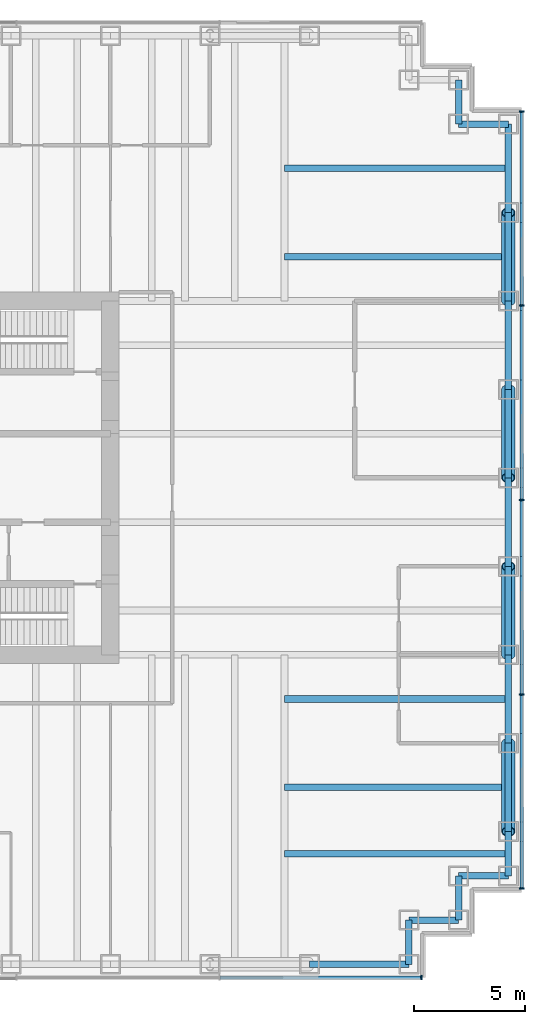
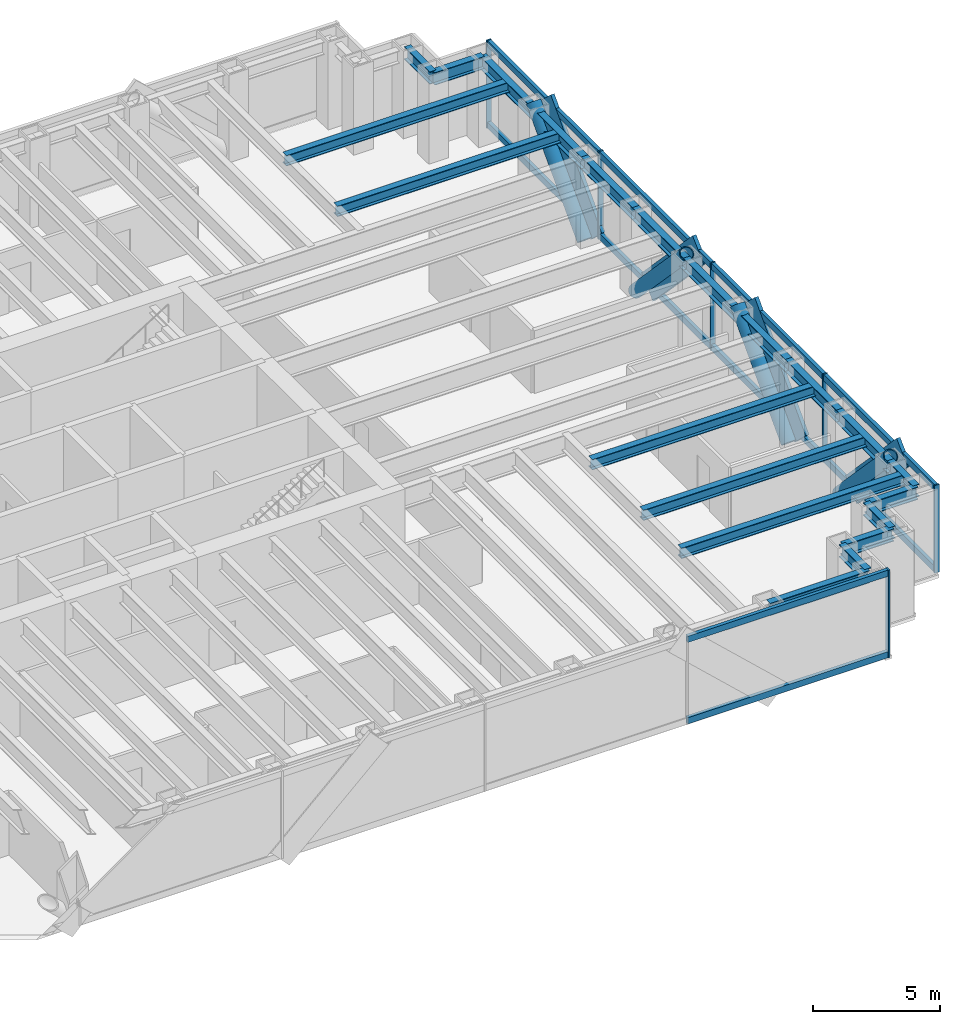
# One storey, part 8 of 15: 24 members, 21 beams, 2 elements without a shape of their own.
"""IFC4 building model written with IfcOpenShell, lengths in metres."""

import ifcopenshell
import ifcopenshell.guid

model = None  # the IFC model being written
_history = None  # IfcOwnerHistory: only IFC2X3 demands one
_inside = {}  # id of a spatial element -> (the spatial element, [elements in it])
_under = {}  # id of a project, library or spatial element -> (it, [spatial elements below it])
_declared = {}  # id of a project -> (the project, [libraries it declares])
_typed = {}  # id of a type object -> (the type object, [elements of that type])
_made_of = {}  # id of a material, layer set ... -> (it, [elements and type objects made of it])


def new_model(schema):
    """Start an empty IFC model of exactly this schema.

    Asked for "IFC4X3", IfcOpenShell would pick the latest addendum, in which some entities
    have other attributes; the version numbers below select the first issue.
    IFC2X3 requires an IfcOwnerHistory on every rooted entity: one is made here for all.
    """
    global model, _history
    if schema == "IFC4X3":
        model = ifcopenshell.file(schema_version=(4, 3, 0, 0))
    else:
        model = ifcopenshell.file(schema=schema)
    _inside.clear()
    _under.clear()
    _declared.clear()
    _typed.clear()
    _made_of.clear()
    _history = None
    if model.schema == "IFC2X3":
        org = make("IfcOrganization", Name="unknown")
        user = make(
            "IfcPersonAndOrganization",
            ThePerson=make("IfcPerson", FamilyName="unknown"),
            TheOrganization=org,
        )
        app = make(
            "IfcApplication",
            ApplicationDeveloper=org,
            Version="unknown",
            ApplicationFullName="unknown",
            ApplicationIdentifier="unknown",
        )
        _history = make(
            "IfcOwnerHistory",
            OwningUser=user,
            OwningApplication=app,
            ChangeAction="ADDED",
            CreationDate=0,
        )
    return model


def make(cls, **values):
    """One entity of the class cls with the attributes given. An attribute that is None is left unset."""
    return model.create_entity(
        cls, **{name: value for name, value in values.items() if value is not None}
    )


def rooted(cls, **values):
    """An entity with a GlobalId (a new one), such as an element, a storey or a relation."""
    return make(cls, GlobalId=ifcopenshell.guid.new(), OwnerHistory=_history, **values)


def si_unit(unit_type, name, prefix=None):
    """IfcSIUnit, for example si_unit("LENGTHUNIT", "METRE", prefix="MILLI")."""
    return make("IfcSIUnit", UnitType=unit_type, Prefix=prefix, Name=name)


def assignment(units):
    """IfcUnitAssignment: the units of a project."""
    return None if units is None else make("IfcUnitAssignment", Units=units)


def point(xyz):
    """IfcCartesianPoint."""
    return None if xyz is None else make("IfcCartesianPoint", Coordinates=xyz)


def direction(xyz):
    """IfcDirection."""
    return None if xyz is None else make("IfcDirection", DirectionRatios=xyz)


def frame(location, z_axis=None, x_axis=None):
    """IfcAxis2Placement3D, a coordinate frame: its origin and axes. An axis left out is left unset."""
    return make(
        "IfcAxis2Placement3D",
        Location=point(location),
        Axis=direction(z_axis),
        RefDirection=direction(x_axis),
    )


def frame_2d(location, x_axis=None):
    """IfcAxis2Placement2D, a coordinate frame in the plane: its origin and x axis."""
    return make(
        "IfcAxis2Placement2D", Location=point(location), RefDirection=direction(x_axis)
    )


def origin():
    """The frame at (0, 0, 0) with its axes left unset."""
    return frame((0.0, 0.0, 0.0))


def origin_2d():
    """The frame at (0, 0) in the plane with its x axis left unset."""
    return frame_2d((0.0, 0.0))


def place(relative_to, where):
    """IfcLocalPlacement: puts the frame where relative to a parent placement (None: the world)."""
    return make(
        "IfcLocalPlacement", PlacementRelTo=relative_to, RelativePlacement=where
    )


def context(
    kind, dimensions, precision=None, world=None, true_north=None, identifier=None
):
    """IfcGeometricRepresentationContext, for example the 3D "Model" context."""
    return make(
        "IfcGeometricRepresentationContext",
        ContextIdentifier=identifier,
        ContextType=kind,
        CoordinateSpaceDimension=dimensions,
        Precision=precision,
        WorldCoordinateSystem=world,
        TrueNorth=true_north,
    )


def subcontext(parent, identifier, kind, view, scale=None):
    """IfcGeometricRepresentationSubContext, for example "Body" below "Model"."""
    return make(
        "IfcGeometricRepresentationSubContext",
        ContextIdentifier=identifier,
        ContextType=kind,
        ParentContext=parent,
        TargetScale=scale,
        TargetView=view,
    )


def project(units=None, contexts=None):
    """IfcProject with its units and contexts."""
    return rooted(
        "IfcProject",
        Name="project",
        RepresentationContexts=contexts,
        UnitsInContext=assignment(units),
    )


def spatial(cls, under=None, at=None, **own):
    """A site, building, storey or space (cls), placed at a placement, below another one or the project."""
    s = rooted(cls, ObjectPlacement=at, **own)
    if under is not None:
        _under.setdefault(under.id(), (under, []))[1].append(s)
    return s


def profile(cls, at=None, kind="AREA", **sizes):
    """A parametric profile (cls). Its sizes go by their IFC names, for example OverallWidth=200.0."""
    return make(cls, ProfileType=kind, Position=at, **sizes)


def rectangle(**sizes):
    """IfcRectangleProfileDef."""
    return profile("IfcRectangleProfileDef", **sizes)


def hollow_circle(**sizes):
    """IfcCircleHollowProfileDef."""
    return profile("IfcCircleHollowProfileDef", **sizes)


def i_section(**sizes):
    """IfcIShapeProfileDef."""
    return profile("IfcIShapeProfileDef", **sizes)


def extrude(swept, where, along, depth):
    """IfcExtrudedAreaSolid: the profile swept, set in the frame where, extruded along a direction by depth."""
    return make(
        "IfcExtrudedAreaSolid",
        SweptArea=swept,
        Position=where,
        ExtrudedDirection=direction(along),
        Depth=depth,
    )


def shape(context_of_items, identifier, shape_type, items):
    """IfcShapeRepresentation: the items that make up one representation, for example the "Body"."""
    return make(
        "IfcShapeRepresentation",
        ContextOfItems=context_of_items,
        RepresentationIdentifier=identifier,
        RepresentationType=shape_type,
        Items=items,
    )


def material(Name=None, Category=None):
    """IfcMaterial."""
    return make("IfcMaterial", Name=Name, Category=Category)


def material_profile(
    of_material, cross_section, Name=None, Category=None, Priority=None
):
    """IfcMaterialProfile: a cross section and its material."""
    return make(
        "IfcMaterialProfile",
        Name=Name,
        Material=of_material,
        Profile=cross_section,
        Priority=Priority,
        Category=Category,
    )


def profile_set(profiles, Name=None, composite=None):
    """IfcMaterialProfileSet."""
    return make(
        "IfcMaterialProfileSet",
        Name=Name,
        MaterialProfiles=profiles,
        CompositeProfile=composite,
    )


def made_of(thing, what):
    """Note that an element or type object is made of a material, layer set ...; save() writes the relation."""
    if what is not None:
        _made_of.setdefault(what.id(), (what, []))[1].append(thing)
    return thing


def type_object(cls, material=None, **own):
    """A type object (cls), such as IfcWallType, which elements share."""
    return made_of(rooted(cls, **own), material)


def element(
    cls,
    number,
    at=None,
    inside=None,
    cuts=None,
    type_object=None,
    material=None,
    context=None,
    identifier="Body",
    shape_type=None,
    held_by="IfcProductDefinitionShape",
    body=None,
    shapes=None,
    **own,
):
    """One element of the class cls, such as IfcWall. Its Tag is "e" and its number.

    at: its placement. inside: the storey or other place that contains it. cuts: it is an
    opening in that element (IfcRelVoidsElement). A single representation is given by context,
    identifier, shape_type and body (its items); several are given by shapes. held_by: the class
    of the entity that holds the representations. save() writes the other relations.
    """
    e = rooted(cls, Tag="e%d" % number, ObjectPlacement=at, **own)
    if body is not None:
        shapes = [shape(context, identifier, shape_type, body)]
    if shapes is not None:
        e.Representation = make(held_by, Representations=shapes)
    if inside is not None:
        _inside.setdefault(inside.id(), (inside, []))[1].append(e)
    if cuts is not None:
        rooted(
            "IfcRelVoidsElement", RelatingBuildingElement=cuts, RelatedOpeningElement=e
        )
    if type_object is not None:
        _typed.setdefault(type_object.id(), (type_object, []))[1].append(e)
    return made_of(e, material)


def aggregate(whole, parts):
    """IfcRelAggregates: a whole, such as a stair, and the parts it consists of."""
    return rooted("IfcRelAggregates", RelatingObject=whole, RelatedObjects=parts)


def save(model, path):
    """Write the relations noted so far, then the file.

    IfcRelAggregates (storeys below a building ...), IfcRelContainedInSpatialStructure (elements
    in a storey), IfcRelDefinesByType, IfcRelAssociatesMaterial and IfcRelDeclares: one each for
    every whole, place, type object, material and project.
    """
    for whole, parts in _under.values():
        aggregate(whole, parts)
    for where, things in _inside.values():
        rooted(
            "IfcRelContainedInSpatialStructure",
            RelatedElements=things,
            RelatingStructure=where,
        )
    for kind, things in _typed.values():
        rooted("IfcRelDefinesByType", RelatedObjects=things, RelatingType=kind)
    for what, things in _made_of.values():
        rooted("IfcRelAssociatesMaterial", RelatedObjects=things, RelatingMaterial=what)
    for by, libraries in _declared.values():
        rooted("IfcRelDeclares", RelatingContext=by, RelatedDefinitions=libraries)
    model.write(path)


model = new_model("IFC4")

# Units and contexts
model_context = context("Model", 3, precision=1e-05, world=origin(), true_north=direction((0.0, 1.0)))
body_context = subcontext(model_context, "Body", "Model", "MODEL_VIEW")
ifc_project = project(units=[si_unit("LENGTHUNIT", "METRE"), si_unit("AREAUNIT", "SQUARE_METRE"), si_unit("VOLUMEUNIT", "CUBIC_METRE"), si_unit("PLANEANGLEUNIT", "RADIAN"), si_unit("MASSUNIT", "GRAM", prefix="KILO")], contexts=[model_context])

# Site, building, storey
site_placement = place(None, origin())
site = spatial("IfcSite", under=ifc_project, at=site_placement, CompositionType="ELEMENT")
building_placement = place(site_placement, origin())
building = spatial("IfcBuilding", under=site, at=building_placement, Name="Rheinbord Bourse Tower", CompositionType="ELEMENT")
storey_placement = place(building_placement, frame((0.0, 0.0, 248.800048828125)))
storey = spatial("IfcBuildingStorey", under=building, at=storey_placement, Name="L56", CompositionType="ELEMENT", Elevation=248.800048828125)

# Curtain wall, members
ifc_material_1 = material(Name="Dark glass and black aluminium", Category="aluminium")
curtain_wall_type = type_object("IfcCurtainWallType", Name="CW2 DARK GLASS CURTAIN WALL", PredefinedType="USERDEFINED", material=ifc_material_1)
curtain_wall_1_placement = place(storey_placement, origin())
curtain_wall_1 = element("IfcCurtainWall", 1, at=curtain_wall_1_placement, inside=storey, type_object=curtain_wall_type, Name="Curtain wall CW2 E L56", ObjectType="UNITISED CURTAIN WALL", PredefinedType="USERDEFINED")
ifc_material_2 = material(Name="Black anodised aluminium", Category="aluminium")
ifc_material_profile_1 = material_profile(ifc_material_2, rectangle(XDim=0.159912109375, YDim=1.2099609375, at=origin_2d()), Name="CW2 DIAGONAL MULLION 1210x160")
ifc_profile_set_1 = profile_set([ifc_material_profile_1], Name="Black anodised aluminium")
member_type_1 = type_object("IfcMemberType", Name="CW2 BLACK DIAGONAL MULLION", PredefinedType="USERDEFINED", material=ifc_profile_set_1)
member_1_placement = place(storey_placement, frame((72.60009765625, 16.0, 0.0), z_axis=(0.0, 0.689659376744, 0.724133926887), x_axis=(-1.0, 0.0, 0.0)))
member_1 = element("IfcMember", 2, at=member_1_placement, type_object=member_type_1, Name="CW2 diagonal mullion a", ObjectType="DIAGONAL MULLION", PredefinedType="USERDEFINED", context=body_context, shape_type="SweptSolid", body=[
    extrude(rectangle(XDim=0.159912109375, YDim=1.2099609375, at=origin_2d()), origin(), (0.0, 0.0, 1.0), 5.800048828125),
])
member_2_placement = place(storey_placement, frame((72.60009765625, 28.0, 0.0), z_axis=(0.0, -0.689659376744, 0.724133926887), x_axis=(1.0, 0.0, 0.0)))
member_2 = element("IfcMember", 3, at=member_2_placement, type_object=member_type_1, Name="CW2 diagonal mullion b", ObjectType="DIAGONAL MULLION", PredefinedType="USERDEFINED", context=body_context, shape_type="SweptSolid", body=[
    extrude(rectangle(XDim=0.159912109375, YDim=1.2099609375, at=origin_2d()), origin(), (0.0, 0.0, 1.0), 5.800048828125),
])
member_3_placement = place(storey_placement, frame((72.60009765625, 32.0, 0.0), z_axis=(0.0, 0.689659376744, 0.724133926887), x_axis=(-1.0, 0.0, 0.0)))
member_3 = element("IfcMember", 4, at=member_3_placement, type_object=member_type_1, Name="CW2 diagonal mullion c", ObjectType="DIAGONAL MULLION", PredefinedType="USERDEFINED", context=body_context, shape_type="SweptSolid", body=[
    extrude(rectangle(XDim=0.159912109375, YDim=1.2099609375, at=origin_2d()), origin(), (0.0, 0.0, 1.0), 5.800048828125),
])
member_4_placement = place(storey_placement, frame((72.60009765625, 12.0, 0.0), z_axis=(0.0, -0.689659376744, 0.724133926887), x_axis=(1.0, 0.0, 0.0)))
member_4 = element("IfcMember", 5, at=member_4_placement, type_object=member_type_1, Name="CW2 diagonal mullion d", ObjectType="DIAGONAL MULLION", PredefinedType="USERDEFINED", context=body_context, shape_type="SweptSolid", body=[
    extrude(rectangle(XDim=0.159912109375, YDim=1.2099609375, at=origin_2d()), origin(), (0.0, 0.0, 1.0), 5.800048828125),
])

# Curtain wall, member
curtain_wall_2_placement = place(storey_placement, origin())
curtain_wall_2 = element("IfcCurtainWall", 6, at=curtain_wall_2_placement, inside=storey, type_object=curtain_wall_type, Name="Curtain wall CW2 S L56", ObjectType="UNITISED CURTAIN WALL", PredefinedType="USERDEFINED")
ifc_material_3 = material(Name="Black anodised aluminium", Category="aluminium")
ifc_material_profile_2 = material_profile(ifc_material_3, rectangle(XDim=0.219970703125, YDim=0.070068359375, at=origin_2d()), Name="CW2 MULLION 70x220")
ifc_profile_set_2 = profile_set([ifc_material_profile_2], Name="Black anodised aluminium")
member_type_2 = type_object("IfcMemberType", Name="CW2 BLACK MULLION", PredefinedType="MULLION", material=ifc_profile_set_2)
member_5_placement = place(storey_placement, frame((68.06494140625, 1.39990234375, 0.0), z_axis=(0.0, 0.0, 1.0), x_axis=(0.0, 1.0, 0.0)))
member_5 = element("IfcMember", 7, at=member_5_placement, type_object=member_type_2, Name="CW2 mullion 8", PredefinedType="MULLION", context=body_context, shape_type="SweptSolid", body=[
    extrude(rectangle(XDim=0.219970703125, YDim=0.070068359375, at=origin_2d()), origin(), (0.0, 0.0, 1.0), 4.199951171875),
])

# Member
member_6_placement = place(storey_placement, frame((72.60009765625, 5.43505859375, 0.0), z_axis=(0.0, 0.0, 1.0), x_axis=(-1.0, 0.0, 0.0)))
member_6 = element("IfcMember", 8, at=member_6_placement, type_object=member_type_2, Name="CW2 mullion 1", PredefinedType="MULLION", context=body_context, shape_type="SweptSolid", body=[
    extrude(rectangle(XDim=0.219970703125, YDim=0.070068359375, at=origin_2d()), origin(), (0.0, 0.0, 1.0), 4.199951171875),
])

member_7_placement = place(storey_placement, frame((72.60009765625, 14.199951171875, 0.0), z_axis=(0.0, 0.0, 1.0), x_axis=(-1.0, 0.0, 0.0)))
member_7 = element("IfcMember", 9, at=member_7_placement, type_object=member_type_2, Name="CW2 mullion 2", PredefinedType="MULLION", context=body_context, shape_type="SweptSolid", body=[
    extrude(rectangle(XDim=0.219970703125, YDim=0.070068359375, at=origin_2d()), origin(), (0.0, 0.0, 1.0), 4.199951171875),
])

member_8_placement = place(storey_placement, frame((72.60009765625, 23.0, 0.0), z_axis=(0.0, 0.0, 1.0), x_axis=(-1.0, 0.0, 0.0)))
member_8 = element("IfcMember", 10, at=member_8_placement, type_object=member_type_2, Name="CW2 mullion 3", PredefinedType="MULLION", context=body_context, shape_type="SweptSolid", body=[
    extrude(rectangle(XDim=0.219970703125, YDim=0.070068359375, at=origin_2d()), origin(), (0.0, 0.0, 1.0), 4.199951171875),
])

member_9_placement = place(storey_placement, frame((72.60009765625, 31.800048828125, 0.0), z_axis=(0.0, 0.0, 1.0), x_axis=(-1.0, 0.0, 0.0)))
member_9 = element("IfcMember", 11, at=member_9_placement, type_object=member_type_2, Name="CW2 mullion 4", PredefinedType="MULLION", context=body_context, shape_type="SweptSolid", body=[
    extrude(rectangle(XDim=0.219970703125, YDim=0.070068359375, at=origin_2d()), origin(), (0.0, 0.0, 1.0), 4.199951171875),
])

member_10_placement = place(storey_placement, frame((72.60009765625, 40.56494140625, 0.0), z_axis=(0.0, 0.0, 1.0), x_axis=(-1.0, 0.0, 0.0)))
member_10 = element("IfcMember", 12, at=member_10_placement, type_object=member_type_2, Name="CW2 mullion 5", PredefinedType="MULLION", context=body_context, shape_type="SweptSolid", body=[
    extrude(rectangle(XDim=0.219970703125, YDim=0.070068359375, at=origin_2d()), origin(), (0.0, 0.0, 1.0), 4.199951171875),
])

ifc_material_4 = material(Name="Black anodised aluminium", Category="aluminium")
ifc_material_profile_3 = material_profile(ifc_material_4, rectangle(XDim=0.159912109375, YDim=0.300048828125, at=origin_2d()), Name="CW2 TRANSOM 300x160")
ifc_profile_set_3 = profile_set([ifc_material_profile_3], Name="Black anodised aluminium")
member_type_3 = type_object("IfcMemberType", Name="CW2 BLACK TRANSOM", PredefinedType="USERDEFINED", material=ifc_profile_set_3)
member_11_placement = place(storey_placement, frame((58.963623046875, 1.39990234375, 0.14990234375), z_axis=(1.0, 0.0, 0.0), x_axis=(0.0, 1.0, 0.0)))
member_11 = element("IfcMember", 13, at=member_11_placement, type_object=member_type_3, Name="CW2 transom 7.1", ObjectType="TRANSOM", PredefinedType="USERDEFINED", context=body_context, shape_type="SweptSolid", body=[
    extrude(rectangle(XDim=0.159912109375, YDim=0.300048828125, at=origin_2d()), origin(), (0.0, 0.0, 1.0), 9.06640625),
])

member_12_placement = place(storey_placement, frame((58.963623046875, 1.39990234375, 4.050048828125), z_axis=(1.0, 0.0, 0.0), x_axis=(0.0, 1.0, 0.0)))
member_12 = element("IfcMember", 14, at=member_12_placement, type_object=member_type_3, Name="CW2 transom 7.2", ObjectType="TRANSOM", PredefinedType="USERDEFINED", context=body_context, shape_type="SweptSolid", body=[
    extrude(rectangle(XDim=0.159912109375, YDim=0.300048828125, at=origin_2d()), origin(), (0.0, 0.0, 1.0), 9.06640625),
])

aggregate(curtain_wall_2, [member_5, member_11, member_12])

member_13_placement = place(storey_placement, frame((72.60009765625, 5.469970703125, 0.14990234375), z_axis=(0.0, 1.0, 0.0), x_axis=(-1.0, 0.0, 0.0)))
member_13 = element("IfcMember", 15, at=member_13_placement, type_object=member_type_3, Name="CW2 transom 1.1", ObjectType="TRANSOM", PredefinedType="USERDEFINED", context=body_context, shape_type="SweptSolid", body=[
    extrude(rectangle(XDim=0.159912109375, YDim=0.300048828125, at=origin_2d()), origin(), (0.0, 0.0, 1.0), 8.695068359375),
])

member_14_placement = place(storey_placement, frame((72.60009765625, 5.469970703125, 4.050048828125), z_axis=(0.0, 1.0, 0.0), x_axis=(-1.0, 0.0, 0.0)))
member_14 = element("IfcMember", 16, at=member_14_placement, type_object=member_type_3, Name="CW2 transom 1.2", ObjectType="TRANSOM", PredefinedType="USERDEFINED", context=body_context, shape_type="SweptSolid", body=[
    extrude(rectangle(XDim=0.159912109375, YDim=0.300048828125, at=origin_2d()), origin(), (0.0, 0.0, 1.0), 8.695068359375),
])

member_15_placement = place(storey_placement, frame((72.60009765625, 14.235107421875, 0.14990234375), z_axis=(0.0, 1.0, 0.0), x_axis=(-1.0, 0.0, 0.0)))
member_15 = element("IfcMember", 17, at=member_15_placement, type_object=member_type_3, Name="CW2 transom 2.1", ObjectType="TRANSOM", PredefinedType="USERDEFINED", context=body_context, shape_type="SweptSolid", body=[
    extrude(rectangle(XDim=0.159912109375, YDim=0.300048828125, at=origin_2d()), origin(), (0.0, 0.0, 1.0), 8.72998046875),
])

member_16_placement = place(storey_placement, frame((72.60009765625, 14.235107421875, 4.050048828125), z_axis=(0.0, 1.0, 0.0), x_axis=(-1.0, 0.0, 0.0)))
member_16 = element("IfcMember", 18, at=member_16_placement, type_object=member_type_3, Name="CW2 transom 2.2", ObjectType="TRANSOM", PredefinedType="USERDEFINED", context=body_context, shape_type="SweptSolid", body=[
    extrude(rectangle(XDim=0.159912109375, YDim=0.300048828125, at=origin_2d()), origin(), (0.0, 0.0, 1.0), 8.72998046875),
])

member_17_placement = place(storey_placement, frame((72.60009765625, 23.034912109375, 0.14990234375), z_axis=(0.0, 1.0, 0.0), x_axis=(-1.0, 0.0, 0.0)))
member_17 = element("IfcMember", 19, at=member_17_placement, type_object=member_type_3, Name="CW2 transom 3.1", ObjectType="TRANSOM", PredefinedType="USERDEFINED", context=body_context, shape_type="SweptSolid", body=[
    extrude(rectangle(XDim=0.159912109375, YDim=0.300048828125, at=origin_2d()), origin(), (0.0, 0.0, 1.0), 8.72998046875),
])

member_18_placement = place(storey_placement, frame((72.60009765625, 23.034912109375, 4.050048828125), z_axis=(0.0, 1.0, 0.0), x_axis=(-1.0, 0.0, 0.0)))
member_18 = element("IfcMember", 20, at=member_18_placement, type_object=member_type_3, Name="CW2 transom 3.2", ObjectType="TRANSOM", PredefinedType="USERDEFINED", context=body_context, shape_type="SweptSolid", body=[
    extrude(rectangle(XDim=0.159912109375, YDim=0.300048828125, at=origin_2d()), origin(), (0.0, 0.0, 1.0), 8.72998046875),
])

member_19_placement = place(storey_placement, frame((72.60009765625, 31.8349609375, 0.14990234375), z_axis=(0.0, 1.0, 0.0), x_axis=(-1.0, 0.0, 0.0)))
member_19 = element("IfcMember", 21, at=member_19_placement, type_object=member_type_3, Name="CW2 transom 4.1", ObjectType="TRANSOM", PredefinedType="USERDEFINED", context=body_context, shape_type="SweptSolid", body=[
    extrude(rectangle(XDim=0.159912109375, YDim=0.300048828125, at=origin_2d()), origin(), (0.0, 0.0, 1.0), 8.695068359375),
])

member_20_placement = place(storey_placement, frame((72.60009765625, 31.8349609375, 4.050048828125), z_axis=(0.0, 1.0, 0.0), x_axis=(-1.0, 0.0, 0.0)))
member_20 = element("IfcMember", 22, at=member_20_placement, type_object=member_type_3, Name="CW2 transom 4.2", ObjectType="TRANSOM", PredefinedType="USERDEFINED", context=body_context, shape_type="SweptSolid", body=[
    extrude(rectangle(XDim=0.159912109375, YDim=0.300048828125, at=origin_2d()), origin(), (0.0, 0.0, 1.0), 8.695068359375),
])

aggregate(curtain_wall_1, [member_6, member_7, member_8, member_9, member_10, member_13, member_14, member_15, member_16, member_17, member_18, member_19, member_20, member_1, member_2, member_3, member_4])

# Members
ifc_material_5 = material(Name="Steel S460", Category="steel")
ifc_material_profile_4 = material_profile(ifc_material_5, hollow_circle(Radius=0.304931640625, WallThickness=0.0400390625, at=origin_2d()), Name="CHS 610x40")
ifc_profile_set_4 = profile_set([ifc_material_profile_4], Name="Steel S460")
member_type_4 = type_object("IfcMemberType", Name="MEGABRACE CHS 610x40", PredefinedType="BRACE", material=ifc_profile_set_4)
for number, where, z_axis, x_axis, name in (
    (23, (72.0, 16.0, 0.0), (0.0, 0.689659376744, 0.724133926887), (-1.0, 0.0, 0.0), "Megabrace E face line a L56"),
    (24, (72.0, 28.0, 0.0), (0.0, -0.689659376744, 0.724133926887), (1.0, 0.0, 0.0), "Megabrace E face line b L56"),
    (25, (72.0, 32.0, 0.0), (0.0, 0.689659376744, 0.724133926887), (-1.0, 0.0, 0.0), "Megabrace E face line c L56"),
    (26, (72.0, 12.0, 0.0), (0.0, -0.689659376744, 0.724133926887), (1.0, 0.0, 0.0), "Megabrace E face line d L56"),
):
    element("IfcMember", number, at=place(storey_placement, frame(where, z_axis=z_axis, x_axis=x_axis)), inside=storey, type_object=member_type_4, Name=name, PredefinedType="BRACE", context=body_context, shape_type="SweptSolid", body=[
        extrude(hollow_circle(Radius=0.304931640625, WallThickness=0.0400390625, at=origin_2d()), origin(), (0.0, 0.0, 1.0), 5.800048828125),
    ])

# Beams
ifc_material_6 = material(Name="Steel S460", Category="steel")
ifc_material_profile_5 = material_profile(ifc_material_6, i_section(OverallWidth=0.300048828125, OverallDepth=0.60009765625, WebThickness=0.015380859375, FlangeThickness=0.030029296875, at=origin_2d()), Name="HEB 600")
ifc_profile_set_5 = profile_set([ifc_material_profile_5], Name="Steel S460")
beam_type_1 = type_object("IfcBeamType", Name="SPANDREL HEB 600", PredefinedType="SPANDREL", material=ifc_profile_set_5)
beam_1_placement = place(storey_placement, frame((63.0, 2.0, 3.739990234375), z_axis=(1.0, 0.0, 0.0), x_axis=(0.0, 1.0, 0.0)))
element("IfcBeam", 27, at=beam_1_placement, inside=storey, type_object=beam_type_1, Name="Spandrel S-63-SE-E under L57", PredefinedType="SPANDREL", context=body_context, shape_type="SweptSolid", body=[
    extrude(i_section(OverallWidth=0.300048828125, OverallDepth=0.60009765625, WebThickness=0.015380859375, FlangeThickness=0.030029296875, at=origin_2d()), origin(), (0.0, 0.0, 1.0), 4.5),
])
beam_2_placement = place(storey_placement, frame((67.5, 2.0, 3.739990234375), z_axis=(0.0, 1.0, 0.0), x_axis=(-1.0, 0.0, 0.0)))
element("IfcBeam", 28, at=beam_2_placement, inside=storey, type_object=beam_type_1, Name="Spandrel SE-E-SE-D under L57", PredefinedType="SPANDREL", context=body_context, shape_type="SweptSolid", body=[
    extrude(i_section(OverallWidth=0.300048828125, OverallDepth=0.60009765625, WebThickness=0.015380859375, FlangeThickness=0.030029296875, at=origin_2d()), origin(), (0.0, 0.0, 1.0), 2.0),
])
beam_3_placement = place(storey_placement, frame((67.5, 4.0, 3.739990234375), z_axis=(1.0, 0.0, 0.0), x_axis=(0.0, 1.0, 0.0)))
element("IfcBeam", 29, at=beam_3_placement, inside=storey, type_object=beam_type_1, Name="Spandrel SE-D-SE-C under L57", PredefinedType="SPANDREL", context=body_context, shape_type="SweptSolid", body=[
    extrude(i_section(OverallWidth=0.300048828125, OverallDepth=0.60009765625, WebThickness=0.015380859375, FlangeThickness=0.030029296875, at=origin_2d()), origin(), (0.0, 0.0, 1.0), 2.25),
])
beam_4_placement = place(storey_placement, frame((69.75, 4.0, 3.739990234375), z_axis=(0.0, 1.0, 0.0), x_axis=(-1.0, 0.0, 0.0)))
element("IfcBeam", 30, at=beam_4_placement, inside=storey, type_object=beam_type_1, Name="Spandrel SE-C-SE-B under L57", PredefinedType="SPANDREL", context=body_context, shape_type="SweptSolid", body=[
    extrude(i_section(OverallWidth=0.300048828125, OverallDepth=0.60009765625, WebThickness=0.015380859375, FlangeThickness=0.030029296875, at=origin_2d()), origin(), (0.0, 0.0, 1.0), 2.0),
])
beam_5_placement = place(storey_placement, frame((69.75, 6.0, 3.739990234375), z_axis=(1.0, 0.0, 0.0), x_axis=(0.0, 1.0, 0.0)))
element("IfcBeam", 31, at=beam_5_placement, inside=storey, type_object=beam_type_1, Name="Spandrel SE-B-SE-A under L57", PredefinedType="SPANDREL", context=body_context, shape_type="SweptSolid", body=[
    extrude(i_section(OverallWidth=0.300048828125, OverallDepth=0.60009765625, WebThickness=0.015380859375, FlangeThickness=0.030029296875, at=origin_2d()), origin(), (0.0, 0.0, 1.0), 2.25),
])
beam_6_placement = place(storey_placement, frame((72.0, 6.0, 3.739990234375), z_axis=(0.0, 1.0, 0.0), x_axis=(-1.0, 0.0, 0.0)))
element("IfcBeam", 32, at=beam_6_placement, inside=storey, type_object=beam_type_1, Name="Spandrel SE-A-E-8 under L57", PredefinedType="SPANDREL", context=body_context, shape_type="SweptSolid", body=[
    extrude(i_section(OverallWidth=0.300048828125, OverallDepth=0.60009765625, WebThickness=0.015380859375, FlangeThickness=0.030029296875, at=origin_2d()), origin(), (0.0, 0.0, 1.0), 2.0),
])
for number, where, z_axis, x_axis, name in (
    (33, (72.0, 8.0, 3.739990234375), (0.0, 1.0, 0.0), (-1.0, 0.0, 0.0), "Spandrel E-8-E-12 under L57"),
    (34, (72.0, 12.0, 3.739990234375), (0.0, 1.0, 0.0), (-1.0, 0.0, 0.0), "Spandrel E-12-E-16 under L57"),
    (35, (72.0, 16.0, 3.739990234375), (0.0, 1.0, 0.0), (-1.0, 0.0, 0.0), "Spandrel E-16-E-20 under L57"),
    (36, (72.0, 20.0, 3.739990234375), (0.0, 1.0, 0.0), (-1.0, 0.0, 0.0), "Spandrel E-20-E-24 under L57"),
    (37, (72.0, 24.0, 3.739990234375), (0.0, 1.0, 0.0), (-1.0, 0.0, 0.0), "Spandrel E-24-E-28 under L57"),
    (38, (72.0, 28.0, 3.739990234375), (0.0, 1.0, 0.0), (-1.0, 0.0, 0.0), "Spandrel E-28-E-32 under L57"),
    (39, (72.0, 32.0, 3.739990234375), (0.0, 1.0, 0.0), (-1.0, 0.0, 0.0), "Spandrel E-32-E-36 under L57"),
    (40, (72.0, 36.0, 3.739990234375), (0.0, 1.0, 0.0), (-1.0, 0.0, 0.0), "Spandrel E-36-NE-A under L57"),
):
    element("IfcBeam", number, at=place(storey_placement, frame(where, z_axis=z_axis, x_axis=x_axis)), inside=storey, type_object=beam_type_1, Name=name, PredefinedType="SPANDREL", context=body_context, shape_type="SweptSolid", body=[
        extrude(i_section(OverallWidth=0.300048828125, OverallDepth=0.60009765625, WebThickness=0.015380859375, FlangeThickness=0.030029296875, at=origin_2d()), origin(), (0.0, 0.0, 1.0), 4.0),
    ])
beam_7_placement = place(storey_placement, frame((72.0, 40.0, 3.739990234375), z_axis=(-1.0, 0.0, 0.0), x_axis=(0.0, -1.0, 0.0)))
element("IfcBeam", 41, at=beam_7_placement, inside=storey, type_object=beam_type_1, Name="Spandrel NE-A-NE-B under L57", PredefinedType="SPANDREL", context=body_context, shape_type="SweptSolid", body=[
    extrude(i_section(OverallWidth=0.300048828125, OverallDepth=0.60009765625, WebThickness=0.015380859375, FlangeThickness=0.030029296875, at=origin_2d()), origin(), (0.0, 0.0, 1.0), 2.25),
])
beam_8_placement = place(storey_placement, frame((69.75, 40.0, 3.739990234375), z_axis=(0.0, 1.0, 0.0), x_axis=(-1.0, 0.0, 0.0)))
element("IfcBeam", 42, at=beam_8_placement, inside=storey, type_object=beam_type_1, Name="Spandrel NE-B-NE-C under L57", PredefinedType="SPANDREL", context=body_context, shape_type="SweptSolid", body=[
    extrude(i_section(OverallWidth=0.300048828125, OverallDepth=0.60009765625, WebThickness=0.015380859375, FlangeThickness=0.030029296875, at=origin_2d()), origin(), (0.0, 0.0, 1.0), 2.0),
])
ifc_material_7 = material(Name="Steel S460", Category="steel")
ifc_material_profile_6 = material_profile(ifc_material_7, i_section(OverallWidth=0.300048828125, OverallDepth=0.5, WebThickness=0.014404296875, FlangeThickness=0.028076171875, at=origin_2d()), Name="HEB 500")
ifc_profile_set_6 = profile_set([ifc_material_profile_6], Name="Steel S460")
beam_type_2 = type_object("IfcBeamType", Name="TIE BEAM HEB 500", PredefinedType="JOIST", material=ifc_profile_set_6)
for number, where, z_axis, x_axis, name in (
    (43, (61.875, 7.0, 3.7900390625), (1.0, 0.0, 0.0), (0.0, 1.0, 0.0), "Tie east 7 L57"),
    (44, (61.875, 10.0, 3.7900390625), (1.0, 0.0, 0.0), (0.0, 1.0, 0.0), "Tie east 10 L57"),
    (45, (61.875, 14.0, 3.7900390625), (1.0, 0.0, 0.0), (0.0, 1.0, 0.0), "Tie east 14 L57"),
    (46, (61.875, 34.0, 3.7900390625), (1.0, 0.0, 0.0), (0.0, 1.0, 0.0), "Tie east 34 L57"),
    (47, (61.875, 38.0, 3.7900390625), (1.0, 0.0, 0.0), (0.0, 1.0, 0.0), "Tie east 38 L57"),
):
    element("IfcBeam", number, at=place(storey_placement, frame(where, z_axis=z_axis, x_axis=x_axis)), inside=storey, type_object=beam_type_2, Name=name, PredefinedType="JOIST", context=body_context, shape_type="SweptSolid", body=[
        extrude(i_section(OverallWidth=0.300048828125, OverallDepth=0.5, WebThickness=0.014404296875, FlangeThickness=0.028076171875, at=origin_2d()), origin(), (0.0, 0.0, 1.0), 10.125),
    ])

save(model, "model.ifc")
